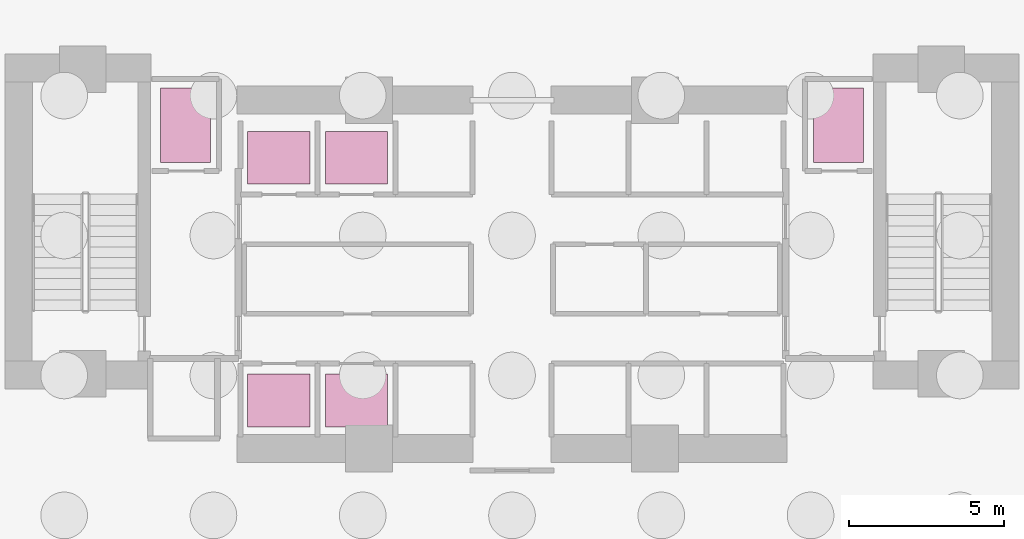
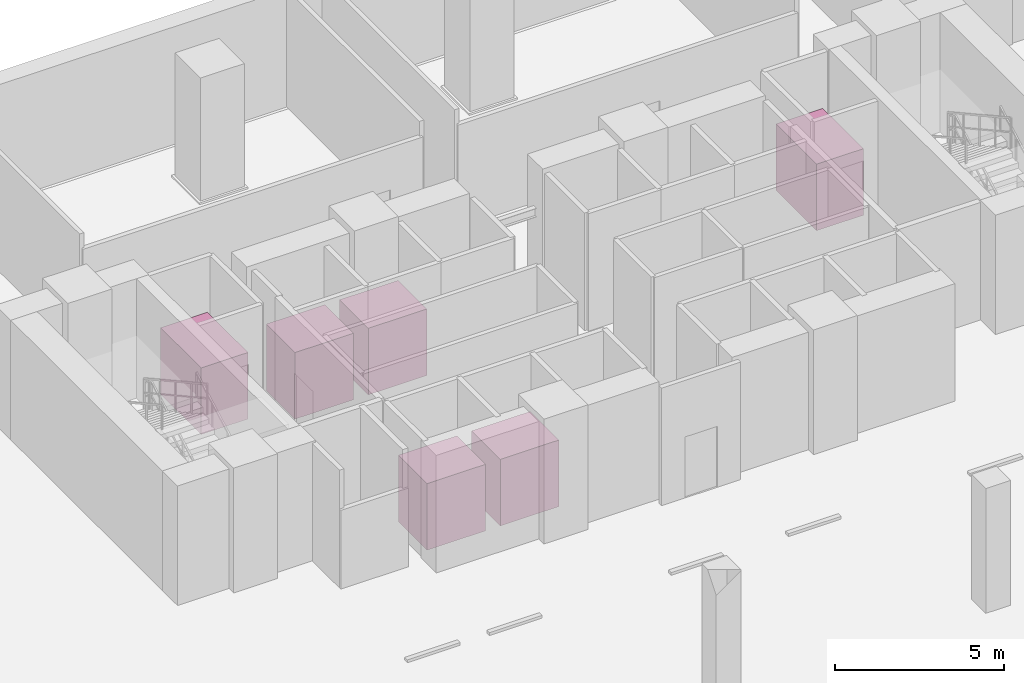
# One storey, part 13 of 13: 6 transport elements.
"""IFC4 building model written with IfcOpenShell, lengths in metres."""

from ifc_helpers import new_model, si_unit, direction, frame, origin, origin_2d, place, context, subcontext, project, spatial, rectangle, extrude, material, type_object, element, save


model = new_model("IFC4")

# Units and contexts
model_context = context("Model", 3, precision=1e-05, world=origin(), true_north=direction((0.0, 1.0)))
body_context = subcontext(model_context, "Body", "Model", "MODEL_VIEW")
ifc_project = project(units=[si_unit("LENGTHUNIT", "METRE"), si_unit("AREAUNIT", "SQUARE_METRE"), si_unit("VOLUMEUNIT", "CUBIC_METRE"), si_unit("PLANEANGLEUNIT", "RADIAN"), si_unit("MASSUNIT", "GRAM", prefix="KILO")], contexts=[model_context])

# Site, building, storey
site_placement = place(None, origin())
site = spatial("IfcSite", under=ifc_project, at=site_placement, CompositionType="ELEMENT")
building_placement = place(site_placement, origin())
building = spatial("IfcBuilding", under=site, at=building_placement, Name="Zuhayl Quay Hotel", CompositionType="ELEMENT")
storey_placement = place(building_placement, frame((0.0, 0.0, -9.0)))
storey = spatial("IfcBuildingStorey", under=building, at=storey_placement, Name="B2", CompositionType="ELEMENT", Elevation=-9.0)

# Transport elements
ifc_material = material(Name="Steel ASTM A992 Grade 50", Category="steel")
transport_element_type_1 = type_object("IfcTransportElementType", Name="LF_FSAE_2000", PredefinedType="ELEVATOR", material=ifc_material)
for number, where, z_axis, x_axis, name in (
    (1, (-10.5, 12.550048828125, 0.0), (0.0, 0.0, 1.0), (1.0, 0.0, 0.0), "Fire-Service Access Elevator Car FL1"),
    (2, (10.5, 12.550048828125, 0.0), (0.0, 0.0, 1.0), (1.0, 0.0, 0.0), "Fire-Service Access Elevator Car FL2"),
):
    element("IfcTransportElement", number, at=place(storey_placement, frame(where, z_axis=z_axis, x_axis=x_axis)), inside=storey, type_object=transport_element_type_1, Name=name, PredefinedType="ELEVATOR", context=body_context, shape_type="SweptSolid", body=[
        extrude(rectangle(XDim=1.60009765625, YDim=2.39990234375, at=origin_2d()), origin(), (0.0, 0.0, 1.0), 2.39990234375),
    ])
transport_element_type_2 = type_object("IfcTransportElementType", Name="LF_PASS_1600", PredefinedType="ELEVATOR", material=ifc_material)
for number, where, z_axis, x_axis, name in (
    (3, (-7.5, 3.699951171875, 0.0), (0.0, 0.0, 1.0), (1.0, 0.0, 0.0), "Passenger Elevator Car LP1"),
    (4, (-5.0, 3.699951171875, 0.0), (0.0, 0.0, 1.0), (1.0, 0.0, 0.0), "Passenger Elevator Car LP2"),
    (5, (-7.5, 11.5, 0.0), (0.0, 0.0, 1.0), (1.0, 0.0, 0.0), "Passenger Elevator Car LP3"),
    (6, (-5.0, 11.5, 0.0), (0.0, 0.0, 1.0), (1.0, 0.0, 0.0), "Passenger Elevator Car LP4"),
):
    element("IfcTransportElement", number, at=place(storey_placement, frame(where, z_axis=z_axis, x_axis=x_axis)), inside=storey, type_object=transport_element_type_2, Name=name, PredefinedType="ELEVATOR", context=body_context, shape_type="SweptSolid", body=[
        extrude(rectangle(XDim=2.0, YDim=1.699951171875, at=origin_2d()), origin(), (0.0, 0.0, 1.0), 2.39990234375),
    ])

save(model, "model.ifc")
